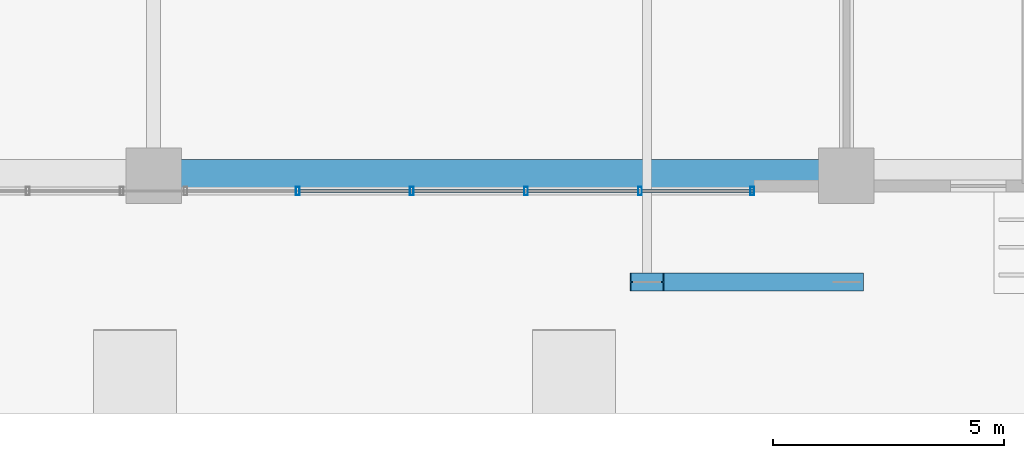
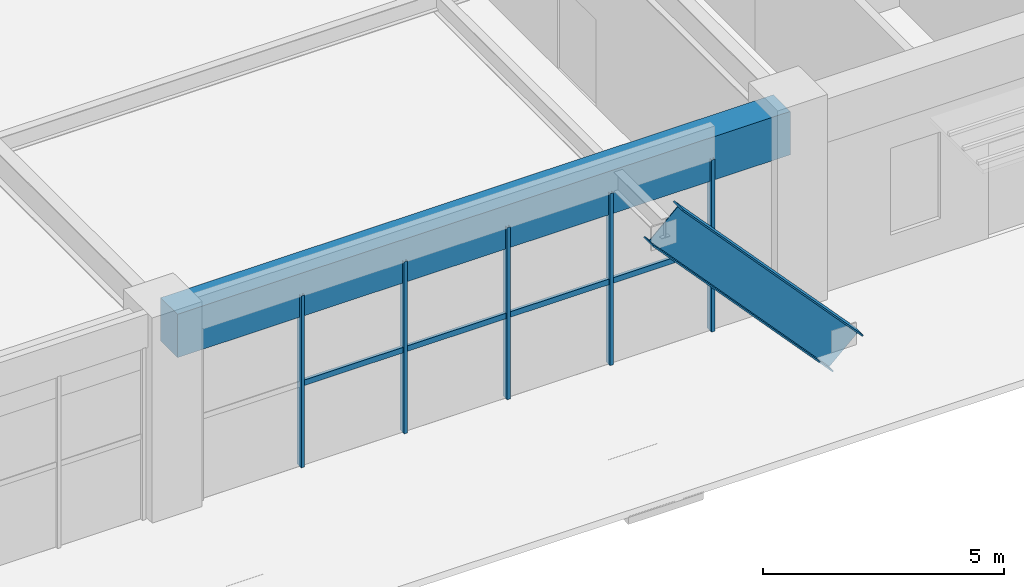
# One storey, part 12 of 40: 10 members, 1 beam, 1 element without a shape of its own.
"""IFC4 building model written with IfcOpenShell, lengths in metres."""

from ifc_helpers import new_model, si_unit, direction, frame, origin, origin_2d, place, context, subcontext, project, spatial, rectangle, hollow_rectangle, i_section, extrude, source, transform, mapped, material, material_profile, profile_set, type_object, element, aggregate, save


model = new_model("IFC4")

# Units and contexts
model_context = context("Model", 3, precision=1e-05, world=origin(), true_north=direction((0.0, 1.0)))
body_context = subcontext(model_context, "Body", "Model", "MODEL_VIEW")
ifc_project = project(units=[si_unit("LENGTHUNIT", "METRE"), si_unit("AREAUNIT", "SQUARE_METRE"), si_unit("VOLUMEUNIT", "CUBIC_METRE"), si_unit("PLANEANGLEUNIT", "RADIAN"), si_unit("MASSUNIT", "GRAM", prefix="KILO")], contexts=[model_context])

# Site, building, storey
site_placement = place(None, origin())
site = spatial("IfcSite", under=ifc_project, at=site_placement, CompositionType="ELEMENT")
building_placement = place(site_placement, origin())
building = spatial("IfcBuilding", under=site, at=building_placement, Name="Trelvane Seafront Commons", CompositionType="ELEMENT")
storey_placement = place(building_placement, origin())
storey = spatial("IfcBuildingStorey", under=building, at=storey_placement, Name="L00", CompositionType="ELEMENT", Elevation=0.0)

# Beam
ifc_material_1 = material(Name="Concrete C50/60", Category="concrete")
ifc_material_profile_1 = material_profile(ifc_material_1, rectangle(XDim=0.699951171875, YDim=1.10009765625, at=origin_2d()), Name="RC-700x1100")
ifc_profile_set_1 = profile_set([ifc_material_profile_1], Name="Concrete C50/60")
beam_type = type_object("IfcBeamType", Name="STR-TBM-RC700x1100", PredefinedType="T_BEAM", material=ifc_profile_set_1)
shared_shape_1 = source(origin(), body_context, "Body", "SweptSolid", [
    extrude(rectangle(XDim=0.699951171875, YDim=1.10009765625, at=origin_2d()), origin(), (0.0, 0.0, 1.0), 14.699951171875),
])
beam_placement = place(storey_placement, frame((43.949951171875, 3.949951171875, 4.330078125), z_axis=(1.0, 0.0, 0.0), x_axis=(0.0, 1.0, 0.0)))
element("IfcBeam", 1, at=beam_placement, inside=storey, type_object=beam_type, Name="L00 Primary Girder G-05", PredefinedType="T_BEAM", context=body_context, shape_type="MappedRepresentation", body=[
    mapped(shared_shape_1, transform((0.0, 0.0, 0.0), x_axis=(1.0, 0.0, 0.0), y_axis=(0.0, 1.0, 0.0), z_axis=(0.0, 0.0, 1.0), scale=1.0)),
])

# Member
ifc_material_2 = material(Name="Steel SM355 (S355)", Category="steel")
ifc_material_profile_2 = material_profile(ifc_material_2, i_section(OverallWidth=0.3798828125, OverallDepth=1.0, WebThickness=0.01904296875, FlangeThickness=0.033935546875, at=origin_2d()), Name="W-1000x380x19x34")
ifc_profile_set_2 = profile_set([ifc_material_profile_2], Name="Steel SM355 (S355)")
member_type_1 = type_object("IfcMemberType", Name="STR-STR-W1000", PredefinedType="STRUT", material=ifc_profile_set_2)
shared_shape_2 = source(origin(), body_context, "Body", "SweptSolid", [
    extrude(i_section(OverallWidth=0.3798828125, OverallDepth=1.0, WebThickness=0.01904296875, FlangeThickness=0.033935546875, at=origin_2d()), origin(), (0.0, 0.0, 1.0), 6.3837890625),
])
member_1_placement = place(storey_placement, frame((58.800048828125, 1.64990234375, -0.02001953125), z_axis=(-0.676726716484, 0.0, 0.736234304551), x_axis=(0.0, -1.0, 0.0)))
element("IfcMember", 2, at=member_1_placement, inside=storey, type_object=member_type_1, Name="L00 Base Inverted-V Portal Mega-Strut VP-E", PredefinedType="STRUT", context=body_context, shape_type="MappedRepresentation", body=[
    mapped(shared_shape_2, transform((0.0, 0.0, 0.0), x_axis=(1.0, 0.0, 0.0), y_axis=(0.0, 1.0, 0.0), z_axis=(0.0, 0.0, 1.0), scale=1.0)),
])

# Curtain wall, members
ifc_material_3 = material(Name="Anodised pale-silver aluminium", Category="aluminium")
curtain_wall_type = type_object("IfcCurtainWallType", Name="ARCH-CW1-PODIUM", PredefinedType="NOTDEFINED", material=ifc_material_3)
curtain_wall_placement = place(storey_placement, origin())
curtain_wall = element("IfcCurtainWall", 3, at=curtain_wall_placement, inside=storey, type_object=curtain_wall_type, Name="CW-L00-VPE-0001", PredefinedType="NOTDEFINED")
ifc_material_profile_3 = material_profile(ifc_material_3, hollow_rectangle(XDim=0.080078125, YDim=0.179931640625, WallThickness=0.00439453125, at=origin_2d()), Name="MULL-80x180x4.5")
ifc_profile_set_3 = profile_set([ifc_material_profile_3], Name="Anodised pale-silver aluminium")
member_type_2 = type_object("IfcMemberType", Name="ARCH-CW-MULL-180", PredefinedType="MULLION", material=ifc_profile_set_3)
shared_shape_3 = source(origin(), body_context, "Body", "SweptSolid", [
    extrude(hollow_rectangle(XDim=0.080078125, YDim=0.179931640625, WallThickness=0.00439453125, at=origin_2d()), origin(), (0.0, 0.0, 1.0), 4.360107421875),
])
member_2_placement = place(storey_placement, frame((56.760009765625, 3.6201171875, 0.0), z_axis=(0.0, 0.0, 1.0), x_axis=(1.0, 0.0, 0.0)))
member_2 = element("IfcMember", 4, at=member_2_placement, type_object=member_type_2, Name="CW-L00-VPE-0001-M00", PredefinedType="MULLION", context=body_context, shape_type="MappedRepresentation", body=[
    mapped(shared_shape_3, transform((0.0, 0.0, 0.0), x_axis=(1.0, 0.0, 0.0), y_axis=(0.0, 1.0, 0.0), z_axis=(0.0, 0.0, 1.0), scale=1.0)),
])
member_3_placement = place(storey_placement, frame((54.330078125, 3.6201171875, 0.0), z_axis=(0.0, 0.0, 1.0), x_axis=(1.0, 0.0, 0.0)))
member_3 = element("IfcMember", 5, at=member_3_placement, type_object=member_type_2, Name="CW-L00-VPE-0001-M01", PredefinedType="MULLION", context=body_context, shape_type="MappedRepresentation", body=[
    mapped(shared_shape_3, transform((0.0, 0.0, 0.0), x_axis=(1.0, 0.0, 0.0), y_axis=(0.0, 1.0, 0.0), z_axis=(0.0, 0.0, 1.0), scale=1.0)),
])
member_4_placement = place(storey_placement, frame((51.860107421875, 3.6201171875, 0.0), z_axis=(0.0, 0.0, 1.0), x_axis=(1.0, 0.0, 0.0)))
member_4 = element("IfcMember", 6, at=member_4_placement, type_object=member_type_2, Name="CW-L00-VPE-0001-M02", PredefinedType="MULLION", context=body_context, shape_type="MappedRepresentation", body=[
    mapped(shared_shape_3, transform((0.0, 0.0, 0.0), x_axis=(1.0, 0.0, 0.0), y_axis=(0.0, 1.0, 0.0), z_axis=(0.0, 0.0, 1.0), scale=1.0)),
])
member_5_placement = place(storey_placement, frame((49.389892578125, 3.6201171875, 0.0), z_axis=(0.0, 0.0, 1.0), x_axis=(1.0, 0.0, 0.0)))
member_5 = element("IfcMember", 7, at=member_5_placement, type_object=member_type_2, Name="CW-L00-VPE-0001-M03", PredefinedType="MULLION", context=body_context, shape_type="MappedRepresentation", body=[
    mapped(shared_shape_3, transform((0.0, 0.0, 0.0), x_axis=(1.0, 0.0, 0.0), y_axis=(0.0, 1.0, 0.0), z_axis=(0.0, 0.0, 1.0), scale=1.0)),
])
member_6_placement = place(storey_placement, frame((46.919921875, 3.6201171875, 0.0), z_axis=(0.0, 0.0, 1.0), x_axis=(1.0, 0.0, 0.0)))
member_6 = element("IfcMember", 8, at=member_6_placement, type_object=member_type_2, Name="CW-L00-VPE-0001-M04", PredefinedType="MULLION", context=body_context, shape_type="MappedRepresentation", body=[
    mapped(shared_shape_3, transform((0.0, 0.0, 0.0), x_axis=(1.0, 0.0, 0.0), y_axis=(0.0, 1.0, 0.0), z_axis=(0.0, 0.0, 1.0), scale=1.0)),
])
ifc_material_profile_4 = material_profile(ifc_material_3, hollow_rectangle(XDim=0.074951171875, YDim=0.139892578125, WallThickness=0.00390625, at=origin_2d()), Name="TRAN-75x140x4")
ifc_profile_set_4 = profile_set([ifc_material_profile_4], Name="Anodised pale-silver aluminium")
member_type_3 = type_object("IfcMemberType", Name="ARCH-CW-TRAN-140", PredefinedType="USERDEFINED", material=ifc_profile_set_4)
shared_shape_4 = source(origin(), body_context, "Body", "SweptSolid", [
    extrude(hollow_rectangle(XDim=0.074951171875, YDim=0.139892578125, WallThickness=0.00390625, at=origin_2d()), origin(), (0.0, 0.0, 1.0), 2.446044921875),
])
member_7_placement = place(storey_placement, frame((56.7880859375, 3.6201171875, 2.093017578125), z_axis=(-1.0, 0.0, 0.0), x_axis=(0.0, -1.0, 0.0)))
member_7 = element("IfcMember", 9, at=member_7_placement, type_object=member_type_3, Name="CW-L00-VPE-0001-T00", ObjectType="TRANSOM", PredefinedType="USERDEFINED", context=body_context, shape_type="MappedRepresentation", body=[
    mapped(shared_shape_4, transform((0.0, 0.0, 0.0), x_axis=(1.0, 0.0, 0.0), y_axis=(0.0, 1.0, 0.0), z_axis=(0.0, 0.0, 1.0), scale=1.0)),
])
member_8_placement = place(storey_placement, frame((54.318115234375, 3.6201171875, 2.093017578125), z_axis=(-1.0, 0.0, 0.0), x_axis=(0.0, -1.0, 0.0)))
member_8 = element("IfcMember", 10, at=member_8_placement, type_object=member_type_3, Name="CW-L00-VPE-0001-T01", ObjectType="TRANSOM", PredefinedType="USERDEFINED", context=body_context, shape_type="MappedRepresentation", body=[
    mapped(shared_shape_4, transform((0.0, 0.0, 0.0), x_axis=(1.0, 0.0, 0.0), y_axis=(0.0, 1.0, 0.0), z_axis=(0.0, 0.0, 1.0), scale=1.0)),
])
member_9_placement = place(storey_placement, frame((49.3779296875, 3.6201171875, 2.093017578125), z_axis=(-1.0, 0.0, 0.0), x_axis=(0.0, -1.0, 0.0)))
member_9 = element("IfcMember", 11, at=member_9_placement, type_object=member_type_3, Name="CW-L00-VPE-0001-T03", ObjectType="TRANSOM", PredefinedType="USERDEFINED", context=body_context, shape_type="MappedRepresentation", body=[
    mapped(shared_shape_4, transform((0.0, 0.0, 0.0), x_axis=(1.0, 0.0, 0.0), y_axis=(0.0, 1.0, 0.0), z_axis=(0.0, 0.0, 1.0), scale=1.0)),
])
shared_shape_5 = source(origin(), body_context, "Body", "SweptSolid", [
    extrude(hollow_rectangle(XDim=0.074951171875, YDim=0.139892578125, WallThickness=0.00390625, at=origin_2d()), origin(), (0.0, 0.0, 1.0), 2.44580078125),
])
member_10_placement = place(storey_placement, frame((51.847900390625, 3.6201171875, 2.093017578125), z_axis=(-1.0, 0.0, 0.0), x_axis=(0.0, -1.0, 0.0)))
member_10 = element("IfcMember", 12, at=member_10_placement, type_object=member_type_3, Name="CW-L00-VPE-0001-T02", ObjectType="TRANSOM", PredefinedType="USERDEFINED", context=body_context, shape_type="MappedRepresentation", body=[
    mapped(shared_shape_5, transform((0.0, 0.0, 0.0), x_axis=(1.0, 0.0, 0.0), y_axis=(0.0, 1.0, 0.0), z_axis=(0.0, 0.0, 1.0), scale=1.0)),
])
aggregate(curtain_wall, [member_2, member_3, member_4, member_5, member_6, member_7, member_8, member_10, member_9])

save(model, "model.ifc")
